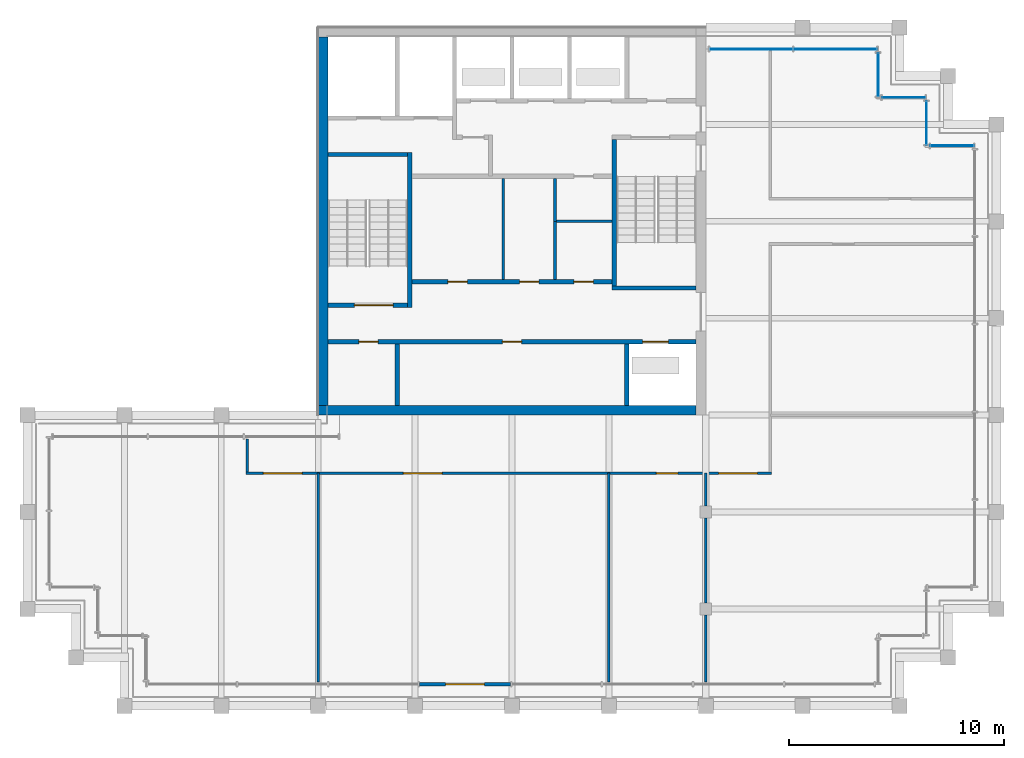
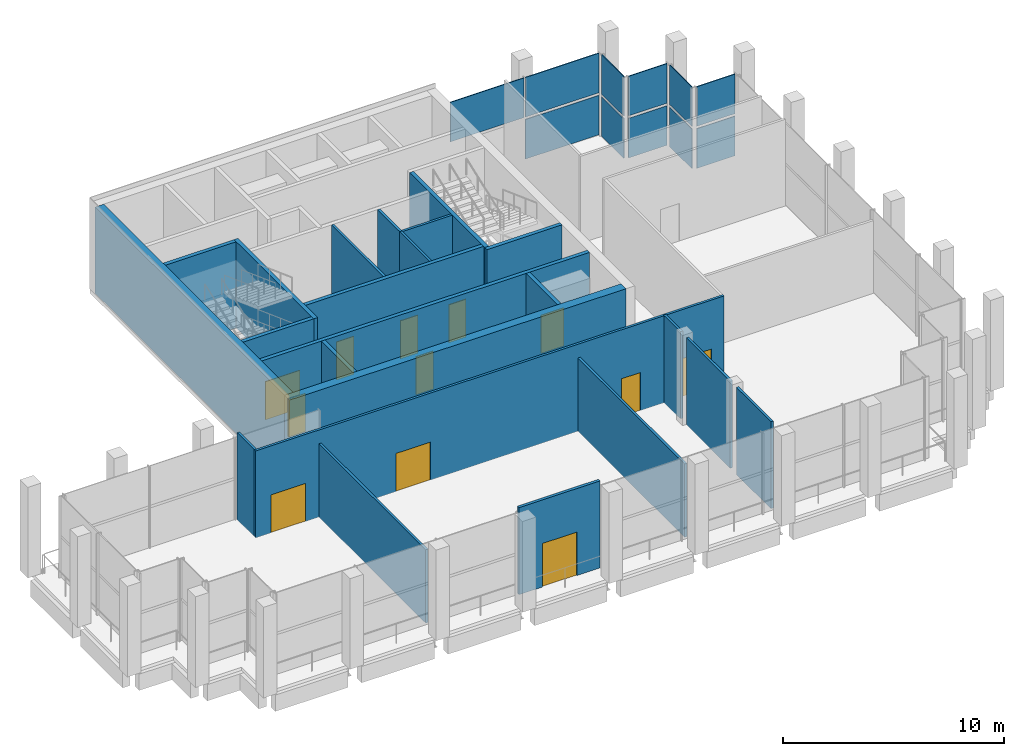
# One storey, part 11 of 14: 23 walls, 12 doors, 11 plates, 12 openings, 5 elements without a shape of their own.
"""IFC4 building model written with IfcOpenShell, lengths in metres."""

from ifc_helpers import new_model, si_unit, direction, frame, frame_2d, origin, origin_2d, place, context, subcontext, project, spatial, rectangle, extrude, material, layer, layer_set, type_object, element, fill, aggregate, save


model = new_model("IFC4")

# Units and contexts
model_context = context("Model", 3, precision=1e-05, world=origin(), true_north=direction((0.0, 1.0)))
body_context = subcontext(model_context, "Body", "Model", "MODEL_VIEW")
ifc_project = project(units=[si_unit("LENGTHUNIT", "METRE"), si_unit("AREAUNIT", "SQUARE_METRE"), si_unit("VOLUMEUNIT", "CUBIC_METRE"), si_unit("PLANEANGLEUNIT", "RADIAN"), si_unit("MASSUNIT", "GRAM", prefix="KILO")], contexts=[model_context])

# Site, building, storey
site_placement = place(None, origin())
site = spatial("IfcSite", under=ifc_project, at=site_placement, CompositionType="ELEMENT")
building_placement = place(site_placement, origin())
building = spatial("IfcBuilding", under=site, at=building_placement, Name="Altepetl Exchange Towers", CompositionType="ELEMENT")
storey_placement = place(building_placement, frame((0.0, 0.0, 269.60009765625)))
storey = spatial("IfcBuildingStorey", under=building, at=storey_placement, Name="L68 Observation gallery", CompositionType="ELEMENT", Elevation=269.60009765625)

# Curtain wall, plates
ifc_material_1 = material(Name="Aluminium 6063-T6 glazing", Category="aluminium")
curtain_wall_type = type_object("IfcCurtainWallType", Name="Executive flush glazing system", PredefinedType="NOTDEFINED", material=ifc_material_1)
curtain_wall_1_placement = place(storey_placement, origin())
curtain_wall_1 = element("IfcCurtainWall", 1, at=curtain_wall_1_placement, inside=storey, type_object=curtain_wall_type, Name="CW4 run", PredefinedType="NOTDEFINED")
ifc_material_2 = material(Name="Glass 10-24-10 laminated", Category="glass")
ifc_layer_1 = layer(ifc_material_2, 0.0439453125)
ifc_layer_set_1 = layer_set([ifc_layer_1], Name="Glass 10-24-10 laminated")
plate_type = type_object("IfcPlateType", Name="Glass panel 44 laminated", PredefinedType="CURTAIN_PANEL", material=ifc_layer_set_1)
plate_1_placement = place(storey_placement, frame((69.9375, 53.0, 0.0), z_axis=(0.0, 0.0, 1.0), x_axis=(-1.0, 0.0, 0.0)))
plate_1 = element("IfcPlate", 2, at=plate_1_placement, type_object=plate_type, Name="GP3 panel", PredefinedType="CURTAIN_PANEL", context=body_context, shape_type="SweptSolid", body=[
    extrude(rectangle(XDim=2.0048828125, YDim=0.0439453125, at=origin_2d()), origin(), (0.0, 0.0, 1.0), 2.179931640625),
])
plate_2_placement = place(storey_placement, frame((69.9375, 53.0, 2.31982421875), z_axis=(0.0, 0.0, 1.0), x_axis=(-1.0, 0.0, 0.0)))
plate_2 = element("IfcPlate", 3, at=plate_2_placement, type_object=plate_type, Name="GP3 panel", PredefinedType="CURTAIN_PANEL", context=body_context, shape_type="SweptSolid", body=[
    extrude(rectangle(XDim=2.0048828125, YDim=0.0439453125, at=origin_2d()), origin(), (0.0, 0.0, 1.0), 2.179931640625),
])
aggregate(curtain_wall_1, [plate_1, plate_2])

curtain_wall_2_placement = place(storey_placement, origin())
curtain_wall_2 = element("IfcCurtainWall", 4, at=curtain_wall_2_placement, inside=storey, type_object=curtain_wall_type, Name="CW4 run", PredefinedType="NOTDEFINED")
plate_3_placement = place(storey_placement, frame((68.75, 54.0625, 0.0), z_axis=(0.0, 0.0, 1.0), x_axis=(0.0, 1.0, 0.0)))
plate_3 = element("IfcPlate", 5, at=plate_3_placement, type_object=plate_type, Name="GP3 panel", PredefinedType="CURTAIN_PANEL", context=body_context, shape_type="SweptSolid", body=[
    extrude(rectangle(XDim=2.0048828125, YDim=0.0439453125, at=origin_2d()), origin(), (0.0, 0.0, 1.0), 2.179931640625),
])
plate_4_placement = place(storey_placement, frame((68.75, 54.0625, 2.31982421875), z_axis=(0.0, 0.0, 1.0), x_axis=(0.0, 1.0, 0.0)))
plate_4 = element("IfcPlate", 6, at=plate_4_placement, type_object=plate_type, Name="GP3 panel", PredefinedType="CURTAIN_PANEL", context=body_context, shape_type="SweptSolid", body=[
    extrude(rectangle(XDim=2.0048828125, YDim=0.0439453125, at=origin_2d()), origin(), (0.0, 0.0, 1.0), 2.179931640625),
])
aggregate(curtain_wall_2, [plate_3, plate_4])

curtain_wall_3_placement = place(storey_placement, origin())
curtain_wall_3 = element("IfcCurtainWall", 7, at=curtain_wall_3_placement, inside=storey, type_object=curtain_wall_type, Name="CW4 run", PredefinedType="NOTDEFINED")
plate_5_placement = place(storey_placement, frame((67.6875, 55.25, 0.0), z_axis=(0.0, 0.0, 1.0), x_axis=(-1.0, 0.0, 0.0)))
plate_5 = element("IfcPlate", 8, at=plate_5_placement, type_object=plate_type, Name="GP3 panel", PredefinedType="CURTAIN_PANEL", context=body_context, shape_type="SweptSolid", body=[
    extrude(rectangle(XDim=2.0048828125, YDim=0.0439453125, at=origin_2d()), origin(), (0.0, 0.0, 1.0), 2.179931640625),
])
plate_6_placement = place(storey_placement, frame((67.6875, 55.25, 2.31982421875), z_axis=(0.0, 0.0, 1.0), x_axis=(-1.0, 0.0, 0.0)))
plate_6 = element("IfcPlate", 9, at=plate_6_placement, type_object=plate_type, Name="GP3 panel", PredefinedType="CURTAIN_PANEL", context=body_context, shape_type="SweptSolid", body=[
    extrude(rectangle(XDim=2.0048828125, YDim=0.0439453125, at=origin_2d()), origin(), (0.0, 0.0, 1.0), 2.179931640625),
])
aggregate(curtain_wall_3, [plate_5, plate_6])

curtain_wall_4_placement = place(storey_placement, origin())
curtain_wall_4 = element("IfcCurtainWall", 10, at=curtain_wall_4_placement, inside=storey, type_object=curtain_wall_type, Name="CW4 run", PredefinedType="NOTDEFINED")
plate_7_placement = place(storey_placement, frame((66.5, 56.3125, 0.0), z_axis=(0.0, 0.0, 1.0), x_axis=(0.0, 1.0, 0.0)))
plate_7 = element("IfcPlate", 11, at=plate_7_placement, type_object=plate_type, Name="GP3 panel", PredefinedType="CURTAIN_PANEL", context=body_context, shape_type="SweptSolid", body=[
    extrude(rectangle(XDim=2.0048828125, YDim=0.0439453125, at=origin_2d()), origin(), (0.0, 0.0, 1.0), 2.179931640625),
])
plate_8_placement = place(storey_placement, frame((66.5, 56.3125, 2.31982421875), z_axis=(0.0, 0.0, 1.0), x_axis=(0.0, 1.0, 0.0)))
plate_8 = element("IfcPlate", 12, at=plate_8_placement, type_object=plate_type, Name="GP3 panel", PredefinedType="CURTAIN_PANEL", context=body_context, shape_type="SweptSolid", body=[
    extrude(rectangle(XDim=2.0048828125, YDim=0.0439453125, at=origin_2d()), origin(), (0.0, 0.0, 1.0), 2.179931640625),
])
aggregate(curtain_wall_4, [plate_7, plate_8])

curtain_wall_5_placement = place(storey_placement, origin())
curtain_wall_5 = element("IfcCurtainWall", 13, at=curtain_wall_5_placement, inside=storey, type_object=curtain_wall_type, Name="CW4 run", PredefinedType="NOTDEFINED")
plate_9_placement = place(storey_placement, frame((64.516357421875, 57.5, 0.0), z_axis=(0.0, 0.0, 1.0), x_axis=(-1.0, 0.0, 0.0)))
plate_9 = element("IfcPlate", 14, at=plate_9_placement, type_object=plate_type, Name="GP3 panel", PredefinedType="CURTAIN_PANEL", context=body_context, shape_type="SweptSolid", body=[
    extrude(rectangle(XDim=3.847412109375, YDim=0.0439453125, at=origin_2d()), origin(), (0.0, 0.0, 1.0), 2.179931640625),
])
plate_10_placement = place(storey_placement, frame((64.516357421875, 57.5, 2.31982421875), z_axis=(0.0, 0.0, 1.0), x_axis=(-1.0, 0.0, 0.0)))
plate_10 = element("IfcPlate", 15, at=plate_10_placement, type_object=plate_type, Name="GP3 panel", PredefinedType="CURTAIN_PANEL", context=body_context, shape_type="SweptSolid", body=[
    extrude(rectangle(XDim=3.847412109375, YDim=0.0439453125, at=origin_2d()), origin(), (0.0, 0.0, 1.0), 2.179931640625),
])
plate_11_placement = place(storey_placement, frame((60.608642578125, 57.5, 2.31982421875), z_axis=(0.0, 0.0, 1.0), x_axis=(-1.0, 0.0, 0.0)))
plate_11 = element("IfcPlate", 16, at=plate_11_placement, type_object=plate_type, Name="GP3 panel", PredefinedType="CURTAIN_PANEL", context=body_context, shape_type="SweptSolid", body=[
    extrude(rectangle(XDim=3.847412109375, YDim=0.0439453125, at=origin_2d()), origin(), (0.0, 0.0, 1.0), 2.179931640625),
])
aggregate(curtain_wall_5, [plate_9, plate_10, plate_11])

# Walls
ifc_material_3 = material(Name="Concrete C70/85", Category="concrete")
ifc_layer_2 = layer(ifc_material_3, 0.449951171875)
ifc_layer_set_2 = layer_set([ifc_layer_2], Name="Concrete C70/85")
wall_type_1 = type_object("IfcWallType", Name="Core wall 450 reinforced concrete", PredefinedType="SHEAR", material=ifc_layer_set_2)
wall_1_placement = place(storey_placement, frame((40.5, 40.72509765625, 0.0)))
element("IfcWall", 17, at=wall_1_placement, inside=storey, type_object=wall_type_1, Name="wall:A:L68:K-coreS", PredefinedType="SHEAR", context=body_context, shape_type="SweptSolid", body=[
    extrude(rectangle(XDim=17.550048828125, YDim=0.449951171875, at=frame_2d((8.77490234375, 0.0))), origin(), (0.0, 0.0, 1.0), 4.75),
])
ifc_layer_3 = layer(ifc_material_3, 0.449951171875)
ifc_layer_set_3 = layer_set([ifc_layer_3], Name="Concrete C70/85")
wall_type_2 = type_object("IfcWallType", Name="Core wall 450 reinforced concrete external", PredefinedType="SHEAR", material=ifc_layer_set_3)
wall_2_placement = place(storey_placement, frame((40.72509765625, 40.949951171875, 0.0), z_axis=(0.0, 0.0, 1.0), x_axis=(0.0, 1.0, 0.0)))
element("IfcWall", 18, at=wall_2_placement, inside=storey, type_object=wall_type_2, Name="wall:A:L68:K-coreW", PredefinedType="SHEAR", context=body_context, shape_type="SweptSolid", body=[
    extrude(rectangle(XDim=17.10009765625, YDim=0.449951171875, at=frame_2d((8.550048828125, 0.0))), origin(), (0.0, 0.0, 1.0), 4.75),
])

# Wall, opening, door
ifc_material_4 = material(Name="Aluminium composite cladding", Category="aluminium")
ifc_layer_4 = layer(ifc_material_4, 0.14990234375)
ifc_layer_set_4 = layer_set([ifc_layer_4], Name="Aluminium composite cladding")
wall_type_3 = type_object("IfcWallType", Name="Infill wall 150 aluminium panel", PredefinedType="SOLIDWALL", material=ifc_layer_set_4)
wall_3_placement = place(storey_placement, frame((45.203125, 28.0, 0.0)))
wall_3 = element("IfcWall", 19, at=wall_3_placement, inside=storey, type_object=wall_type_3, Name="Loggia door bay wall", PredefinedType="SOLIDWALL", context=body_context, shape_type="SweptSolid", body=[
    extrude(rectangle(XDim=4.234375, YDim=0.14990234375, at=frame_2d((2.1171875, 0.0))), origin(), (0.0, 0.0, 1.0), 4.7998046875),
])
opening_1_placement = place(wall_3_placement, frame((1.21728515625, 0.0, 0.0)))
opening_1 = element("IfcOpeningElement", 20, at=opening_1_placement, cuts=wall_3, Name="Opening L68.A90", PredefinedType="OPENING", context=body_context, shape_type="SweptSolid", body=[
    extrude(rectangle(XDim=1.800048828125, YDim=2.39990234375, at=frame_2d((0.89990234375, 1.199951171875))), frame((0.0, 0.0849609375, 0.0), z_axis=(0.0, -1.0, 0.0), x_axis=(1.0, 0.0, 0.0)), (0.0, 0.0, 1.0), 0.169921875),
])
ifc_material_5 = material(Name="Aluminium 6063-T6 and glass", Category="aluminium")
door_type_1 = type_object("IfcDoorType", Name="Glazed door pair 1800x2400", OperationType="DOUBLE_DOOR_DOUBLE_SWING", PredefinedType="NOTDEFINED", material=ifc_material_5)
door_1_placement = place(opening_1_placement, frame((1.800048828125, 0.0, 0.0), x_axis=(-1.0, 0.0, 0.0)))
door_1 = element("IfcDoor", 21, at=door_1_placement, inside=storey, type_object=door_type_1, Name="Loggia door", OperationType="DOUBLE_DOOR_DOUBLE_SWING", OverallHeight=2.39990234375, OverallWidth=1.800048828125, PredefinedType="NOTDEFINED", context=body_context, shape_type="SweptSolid", body=[
    extrude(rectangle(XDim=1.800048828125, YDim=2.39990234375, at=frame_2d((0.89990234375, 1.199951171875))), frame((0.0, 0.02490234375, 0.0), z_axis=(0.0, -1.0, 0.0), x_axis=(1.0, 0.0, 0.0)), (0.0, 0.0, 1.0), 0.050048828125),
])
fill(opening_1, door_1)

# Wall, openings, doors
ifc_material_6 = material(Name="Concrete blockwork", Category="masonry")
ifc_layer_5 = layer(ifc_material_6, 0.199951171875)
ifc_layer_set_5 = layer_set([ifc_layer_5], Name="Concrete blockwork")
wall_type_4 = type_object("IfcWallType", Name="Lobby wall 200 blockwork", PredefinedType="PARTITIONING", material=ifc_layer_set_5)
wall_4_placement = place(storey_placement, frame((44.85009765625, 46.699951171875, 0.0)))
wall_4 = element("IfcWall", 22, at=wall_4_placement, inside=storey, type_object=wall_type_4, Name="wall:A:L68:K-zoneS", PredefinedType="PARTITIONING", context=body_context, shape_type="SweptSolid", body=[
    extrude(rectangle(XDim=9.2998046875, YDim=0.199951171875, at=frame_2d((4.64990234375, 0.0))), origin(), (0.0, 0.0, 1.0), 4.75),
])
opening_2_placement = place(wall_4_placement, frame((1.675048828125, 0.0, 0.0)))
opening_2 = element("IfcOpeningElement", 23, at=opening_2_placement, cuts=wall_4, Name="Opening L68.A69", PredefinedType="OPENING", context=body_context, shape_type="SweptSolid", body=[
    extrude(rectangle(XDim=0.89990234375, YDim=2.10009765625, at=frame_2d((0.449951171875, 1.050048828125))), frame((0.0, 0.10986328125, 0.0), z_axis=(0.0, -1.0, 0.0), x_axis=(1.0, 0.0, 0.0)), (0.0, 0.0, 1.0), 0.219970703125),
])
opening_3_placement = place(wall_4_placement, frame((5.0, 0.0, 0.0)))
opening_3 = element("IfcOpeningElement", 24, at=opening_3_placement, cuts=wall_4, Name="Opening L68.A70", PredefinedType="OPENING", context=body_context, shape_type="SweptSolid", body=[
    extrude(rectangle(XDim=0.89990234375, YDim=2.10009765625, at=frame_2d((0.449951171875, 1.050048828125))), frame((0.0, 0.10986328125, 0.0), z_axis=(0.0, -1.0, 0.0), x_axis=(1.0, 0.0, 0.0)), (0.0, 0.0, 1.0), 0.219970703125),
])
opening_4_placement = place(wall_4_placement, frame((7.52490234375, 0.0, 0.0)))
opening_4 = element("IfcOpeningElement", 25, at=opening_4_placement, cuts=wall_4, Name="Opening L68.A72", PredefinedType="OPENING", context=body_context, shape_type="SweptSolid", body=[
    extrude(rectangle(XDim=0.89990234375, YDim=2.10009765625, at=frame_2d((0.449951171875, 1.050048828125))), frame((0.0, 0.10986328125, 0.0), z_axis=(0.0, -1.0, 0.0), x_axis=(1.0, 0.0, 0.0)), (0.0, 0.0, 1.0), 0.219970703125),
])
ifc_material_7 = material(Name="Steel and timber fire door", Category="steel")
door_type_2 = type_object("IfcDoorType", Name="Fire door 900 x 2100 service room", OperationType="SINGLE_SWING_LEFT", PredefinedType="DOOR", material=ifc_material_7)
door_2_placement = place(opening_2_placement, origin())
door_2 = element("IfcDoor", 26, at=door_2_placement, inside=storey, type_object=door_type_2, Name="door:A:L68:K-dz1", OperationType="SINGLE_SWING_RIGHT", OverallHeight=2.10009765625, OverallWidth=0.89990234375, PredefinedType="DOOR", context=body_context, shape_type="SweptSolid", body=[
    extrude(rectangle(XDim=0.89990234375, YDim=2.10009765625, at=frame_2d((0.449951171875, 1.050048828125))), frame((0.0, 0.02490234375, 0.0), z_axis=(0.0, -1.0, 0.0), x_axis=(1.0, 0.0, 0.0)), (0.0, 0.0, 1.0), 0.050048828125),
])
fill(opening_2, door_2)
door_3_placement = place(opening_3_placement, origin())
door_3 = element("IfcDoor", 27, at=door_3_placement, inside=storey, type_object=door_type_2, Name="door:A:L68:K-dz2", OperationType="SINGLE_SWING_RIGHT", OverallHeight=2.10009765625, OverallWidth=0.89990234375, PredefinedType="DOOR", context=body_context, shape_type="SweptSolid", body=[
    extrude(rectangle(XDim=0.89990234375, YDim=2.10009765625, at=frame_2d((0.449951171875, 1.050048828125))), frame((0.0, 0.02490234375, 0.0), z_axis=(0.0, -1.0, 0.0), x_axis=(1.0, 0.0, 0.0)), (0.0, 0.0, 1.0), 0.050048828125),
])
fill(opening_3, door_3)
door_4_placement = place(opening_4_placement, origin())
door_4 = element("IfcDoor", 28, at=door_4_placement, inside=storey, type_object=door_type_2, Name="door:A:L68:K-dz4", OperationType="SINGLE_SWING_RIGHT", OverallHeight=2.10009765625, OverallWidth=0.89990234375, PredefinedType="DOOR", context=body_context, shape_type="SweptSolid", body=[
    extrude(rectangle(XDim=0.89990234375, YDim=2.10009765625, at=frame_2d((0.449951171875, 1.050048828125))), frame((0.0, 0.02490234375, 0.0), z_axis=(0.0, -1.0, 0.0), x_axis=(1.0, 0.0, 0.0)), (0.0, 0.0, 1.0), 0.050048828125),
])
fill(opening_4, door_4)

# Walls
ifc_material_8 = material(Name="Gypsum board on steel studs", Category="steel")
ifc_layer_6 = layer(ifc_material_8, 0.125)
ifc_layer_set_6 = layer_set([ifc_layer_6], Name="Gypsum board on steel studs")
wall_type_5 = type_object("IfcWallType", Name="Partition 125 gypsum board on steel studs", PredefinedType="PARTITIONING", material=ifc_layer_set_6)
wall_5_placement = place(storey_placement, frame((49.10009765625, 46.800048828125, 0.0), z_axis=(0.0, 0.0, 1.0), x_axis=(0.0, 1.0, 0.0)))
element("IfcWall", 29, at=wall_5_placement, inside=storey, type_object=wall_type_5, Name="wall:A:L68:K-zp1", PredefinedType="PARTITIONING", context=body_context, shape_type="SweptSolid", body=[
    extrude(rectangle(XDim=4.699951171875, YDim=0.125, at=frame_2d((2.35009765625, 0.0))), origin(), (0.0, 0.0, 1.0), 4.75),
])
wall_6_placement = place(storey_placement, frame((51.5, 46.800048828125, 0.0), z_axis=(0.0, 0.0, 1.0), x_axis=(0.0, 1.0, 0.0)))
element("IfcWall", 30, at=wall_6_placement, inside=storey, type_object=wall_type_5, Name="wall:A:L68:K-zp2", PredefinedType="PARTITIONING", context=body_context, shape_type="SweptSolid", body=[
    extrude(rectangle(XDim=2.762451171875, YDim=0.125, at=frame_2d((1.38134765625, 0.0))), origin(), (0.0, 0.0, 1.0), 4.75),
])
wall_7_placement = place(storey_placement, frame((51.5625, 49.5, 0.0)))
element("IfcWall", 31, at=wall_7_placement, inside=storey, type_object=wall_type_5, Name="wall:A:L68:K-zp3", PredefinedType="PARTITIONING", context=body_context, shape_type="SweptSolid", body=[
    extrude(rectangle(XDim=2.58740234375, YDim=0.125, at=frame_2d((1.293701171875, 0.0))), origin(), (0.0, 0.0, 1.0), 4.75),
])
wall_8_placement = place(storey_placement, frame((51.5, 49.5, 0.0), z_axis=(0.0, 0.0, 1.0), x_axis=(0.0, 1.0, 0.0)))
element("IfcWall", 32, at=wall_8_placement, inside=storey, type_object=wall_type_5, Name="wall:A:L68:K-zp4", PredefinedType="PARTITIONING", context=body_context, shape_type="SweptSolid", body=[
    extrude(rectangle(XDim=2.0, YDim=0.125, at=frame_2d((1.0, 0.0))), origin(), (0.0, 0.0, 1.0), 4.75),
])

# Wall, openings, doors
wall_9_placement = place(storey_placement, frame((37.137451171875, 37.800048828125, 0.0)))
wall_9 = element("IfcWall", 33, at=wall_9_placement, inside=storey, type_object=wall_type_5, Name="wall:A:L68:P01", PredefinedType="PARTITIONING", context=body_context, shape_type="SweptSolid", body=[
    extrude(rectangle(XDim=24.425048828125, YDim=0.125, at=frame_2d((12.21240234375, 0.0))), origin(), (0.0, 0.0, 1.0), 4.7998046875),
])
opening_5_placement = place(wall_9_placement, frame((0.8125, 0.0, 0.0)))
opening_5 = element("IfcOpeningElement", 34, at=opening_5_placement, cuts=wall_9, Name="Opening L68.A01", PredefinedType="OPENING", context=body_context, shape_type="SweptSolid", body=[
    extrude(rectangle(XDim=1.800048828125, YDim=2.10009765625, at=frame_2d((0.89990234375, 1.050048828125))), frame((0.0, 0.072509765625, 0.0), z_axis=(0.0, -1.0, 0.0), x_axis=(1.0, 0.0, 0.0)), (0.0, 0.0, 1.0), 0.14501953125),
])
opening_6_placement = place(wall_9_placement, frame((7.322509765625, 0.0, 0.0)))
opening_6 = element("IfcOpeningElement", 35, at=opening_6_placement, cuts=wall_9, Name="Opening L68.A02", PredefinedType="OPENING", context=body_context, shape_type="SweptSolid", body=[
    extrude(rectangle(XDim=1.800048828125, YDim=2.10009765625, at=frame_2d((0.89990234375, 1.050048828125))), frame((0.0, 0.072509765625, 0.0), z_axis=(0.0, -1.0, 0.0), x_axis=(1.0, 0.0, 0.0)), (0.0, 0.0, 1.0), 0.14501953125),
])
opening_7_placement = place(wall_9_placement, frame((19.0673828125, 0.0, 0.0)))
opening_7 = element("IfcOpeningElement", 36, at=opening_7_placement, cuts=wall_9, Name="Opening L68.A03", PredefinedType="OPENING", context=body_context, shape_type="SweptSolid", body=[
    extrude(rectangle(XDim=1.0, YDim=2.10009765625, at=frame_2d((0.5, 1.050048828125))), frame((0.0, 0.072509765625, 0.0), z_axis=(0.0, -1.0, 0.0), x_axis=(1.0, 0.0, 0.0)), (0.0, 0.0, 1.0), 0.14501953125),
])
opening_8_placement = place(wall_9_placement, frame((21.96240234375, 0.0, 0.0)))
opening_8 = element("IfcOpeningElement", 37, at=opening_8_placement, cuts=wall_9, Name="Opening L68.A04", PredefinedType="OPENING", context=body_context, shape_type="SweptSolid", body=[
    extrude(rectangle(XDim=1.800048828125, YDim=2.10009765625, at=frame_2d((0.89990234375, 1.050048828125))), frame((0.0, 0.072509765625, 0.0), z_axis=(0.0, -1.0, 0.0), x_axis=(1.0, 0.0, 0.0)), (0.0, 0.0, 1.0), 0.14501953125),
])
door_type_3 = type_object("IfcDoorType", Name="Fire door 1000 x 2100 single leaf", OperationType="SINGLE_SWING_LEFT", PredefinedType="DOOR", material=ifc_material_7)
door_5_placement = place(opening_7_placement, frame((1.0, 0.0, 0.0), x_axis=(-1.0, 0.0, 0.0)))
door_5 = element("IfcDoor", 38, at=door_5_placement, inside=storey, type_object=door_type_3, Name="door:A:L68:03", OperationType="SINGLE_SWING_LEFT", OverallHeight=2.10009765625, OverallWidth=1.0, PredefinedType="DOOR", context=body_context, shape_type="SweptSolid", body=[
    extrude(rectangle(XDim=1.0, YDim=2.10009765625, at=frame_2d((0.5, 1.050048828125))), frame((0.0, 0.02490234375, 0.0), z_axis=(0.0, -1.0, 0.0), x_axis=(1.0, 0.0, 0.0)), (0.0, 0.0, 1.0), 0.050048828125),
])
fill(opening_7, door_5)
door_type_4 = type_object("IfcDoorType", Name="Fire door 1800 x 2100 double leaf", OperationType="DOUBLE_DOOR_SINGLE_SWING", PredefinedType="DOOR", material=ifc_material_7)
door_6_placement = place(opening_5_placement, frame((1.800048828125, 0.0, 0.0), x_axis=(-1.0, 0.0, 0.0)))
door_6 = element("IfcDoor", 39, at=door_6_placement, inside=storey, type_object=door_type_4, Name="door:A:L68:01", OperationType="DOUBLE_DOOR_SINGLE_SWING", OverallHeight=2.10009765625, OverallWidth=1.800048828125, PredefinedType="DOOR", context=body_context, shape_type="SweptSolid", body=[
    extrude(rectangle(XDim=1.800048828125, YDim=2.10009765625, at=frame_2d((0.89990234375, 1.050048828125))), frame((0.0, 0.02490234375, 0.0), z_axis=(0.0, -1.0, 0.0), x_axis=(1.0, 0.0, 0.0)), (0.0, 0.0, 1.0), 0.050048828125),
])
fill(opening_5, door_6)
door_7_placement = place(opening_6_placement, frame((1.800048828125, 0.0, 0.0), x_axis=(-1.0, 0.0, 0.0)))
door_7 = element("IfcDoor", 40, at=door_7_placement, inside=storey, type_object=door_type_4, Name="door:A:L68:02", OperationType="DOUBLE_DOOR_SINGLE_SWING", OverallHeight=2.10009765625, OverallWidth=1.800048828125, PredefinedType="DOOR", context=body_context, shape_type="SweptSolid", body=[
    extrude(rectangle(XDim=1.800048828125, YDim=2.10009765625, at=frame_2d((0.89990234375, 1.050048828125))), frame((0.0, 0.02490234375, 0.0), z_axis=(0.0, -1.0, 0.0), x_axis=(1.0, 0.0, 0.0)), (0.0, 0.0, 1.0), 0.050048828125),
])
fill(opening_6, door_7)
door_8_placement = place(opening_8_placement, frame((1.800048828125, 0.0, 0.0), x_axis=(-1.0, 0.0, 0.0)))
door_8 = element("IfcDoor", 41, at=door_8_placement, inside=storey, type_object=door_type_4, Name="door:A:L68:04", OperationType="DOUBLE_DOOR_SINGLE_SWING", OverallHeight=2.10009765625, OverallWidth=1.800048828125, PredefinedType="DOOR", context=body_context, shape_type="SweptSolid", body=[
    extrude(rectangle(XDim=1.800048828125, YDim=2.10009765625, at=frame_2d((0.89990234375, 1.050048828125))), frame((0.0, 0.02490234375, 0.0), z_axis=(0.0, -1.0, 0.0), x_axis=(1.0, 0.0, 0.0)), (0.0, 0.0, 1.0), 0.050048828125),
])
fill(opening_8, door_8)

# Walls
wall_10_placement = place(storey_placement, frame((37.199951171875, 37.862548828125, 0.0), z_axis=(0.0, 0.0, 1.0), x_axis=(0.0, 1.0, 0.0)))
element("IfcWall", 42, at=wall_10_placement, inside=storey, type_object=wall_type_5, Name="wall:A:L68:P05", PredefinedType="PARTITIONING", context=body_context, shape_type="SweptSolid", body=[
    extrude(rectangle(XDim=1.537353515625, YDim=0.125, at=frame_2d((0.7685546875, 0.0))), origin(), (0.0, 0.0, 1.0), 4.7998046875),
])
for number, where, z_axis, x_axis, name in (
    (43, (40.5, 28.10009765625, 0.0), (0.0, 0.0, 1.0), (0.0, 1.0, 0.0), "wall:A:L68:P06"),
    (44, (54.0, 28.10009765625, 0.0), (0.0, 0.0, 1.0), (0.0, 1.0, 0.0), "wall:A:L68:P07"),
):
    element("IfcWall", number, at=place(storey_placement, frame(where, z_axis=z_axis, x_axis=x_axis)), inside=storey, type_object=wall_type_5, Name=name, PredefinedType="PARTITIONING", context=body_context, shape_type="SweptSolid", body=[
        extrude(rectangle(XDim=9.699951171875, YDim=0.125, at=frame_2d((4.85009765625, 0.0))), origin(), (0.0, 0.0, 1.0), 4.0419921875),
    ])
wall_11_placement = place(storey_placement, frame((58.5, 28.10009765625, 0.0), z_axis=(0.0, 0.0, 1.0), x_axis=(0.0, 1.0, 0.0)))
element("IfcWall", 45, at=wall_11_placement, inside=storey, type_object=wall_type_5, Name="wall:A:L68:P08", PredefinedType="PARTITIONING", context=body_context, shape_type="SweptSolid", body=[
    extrude(rectangle(XDim=3.125, YDim=0.125, at=frame_2d((1.5625, 0.0))), origin(), (0.0, 0.0, 1.0), 4.7998046875),
])
wall_12_placement = place(storey_placement, frame((58.5, 31.77490234375, 0.0), z_axis=(0.0, 0.0, 1.0), x_axis=(0.0, 1.0, 0.0)))
element("IfcWall", 46, at=wall_12_placement, inside=storey, type_object=wall_type_5, Name="wall:A:L68:P09", PredefinedType="PARTITIONING", context=body_context, shape_type="SweptSolid", body=[
    extrude(rectangle(XDim=3.9501953125, YDim=0.125, at=frame_2d((1.97509765625, 0.0))), origin(), (0.0, 0.0, 1.0), 4.7998046875),
])
wall_13_placement = place(storey_placement, frame((58.5, 36.27490234375, 0.0), z_axis=(0.0, 0.0, 1.0), x_axis=(0.0, 1.0, 0.0)))
element("IfcWall", 47, at=wall_13_placement, inside=storey, type_object=wall_type_5, Name="wall:A:L68:P10", PredefinedType="PARTITIONING", context=body_context, shape_type="SweptSolid", body=[
    extrude(rectangle(XDim=1.525146484375, YDim=0.125, at=frame_2d((0.7626953125, 0.0))), origin(), (0.0, 0.0, 1.0), 4.7998046875),
])
ifc_material_9 = material(Name="Concrete C40/50", Category="concrete")
ifc_layer_7 = layer(ifc_material_9, 0.199951171875)
ifc_layer_set_7 = layer_set([ifc_layer_7], Name="Concrete C40/50")
wall_type_6 = type_object("IfcWallType", Name="Shaft wall 200 reinforced concrete", PredefinedType="SHEAR", material=ifc_layer_set_7)
wall_14_placement = place(storey_placement, frame((54.833251953125, 40.949951171875, 0.0), z_axis=(0.0, 0.0, 1.0), x_axis=(0.0, 1.0, 0.0)))
element("IfcWall", 48, at=wall_14_placement, inside=storey, type_object=wall_type_6, Name="wall:A:L68:K-divS5", PredefinedType="SHEAR", context=body_context, shape_type="SweptSolid", body=[
    extrude(rectangle(XDim=2.85009765625, YDim=0.199951171875, at=frame_2d((1.425048828125, 0.0))), origin(), (0.0, 0.0, 1.0), 4.75),
])

# Wall, openings, doors
wall_15_placement = place(storey_placement, frame((40.949951171875, 43.89990234375, 0.0)))
wall_15 = element("IfcWall", 49, at=wall_15_placement, inside=storey, type_object=wall_type_6, Name="wall:A:L68:K-frontS", PredefinedType="SHEAR", context=body_context, shape_type="SweptSolid", body=[
    extrude(rectangle(XDim=17.10009765625, YDim=0.199951171875, at=frame_2d((8.550048828125, 0.0))), origin(), (0.0, 0.0, 1.0), 4.75),
])
opening_9_placement = place(wall_15_placement, frame((1.433349609375, 0.0, 0.0)))
opening_9 = element("IfcOpeningElement", 50, at=opening_9_placement, cuts=wall_15, Name="Opening L68.A67", PredefinedType="OPENING", context=body_context, shape_type="SweptSolid", body=[
    extrude(rectangle(XDim=0.89990234375, YDim=2.10009765625, at=frame_2d((0.449951171875, 1.050048828125))), frame((0.0, 0.10986328125, 0.0), z_axis=(0.0, -1.0, 0.0), x_axis=(1.0, 0.0, 0.0)), (0.0, 0.0, 1.0), 0.219970703125),
])
opening_10_placement = place(wall_15_placement, frame((8.10009765625, 0.0, 0.0)))
opening_10 = element("IfcOpeningElement", 51, at=opening_10_placement, cuts=wall_15, Name="Opening L68.A68", PredefinedType="OPENING", context=body_context, shape_type="SweptSolid", body=[
    extrude(rectangle(XDim=0.89990234375, YDim=2.10009765625, at=frame_2d((0.449951171875, 1.050048828125))), frame((0.0, 0.10986328125, 0.0), z_axis=(0.0, -1.0, 0.0), x_axis=(1.0, 0.0, 0.0)), (0.0, 0.0, 1.0), 0.219970703125),
])
opening_11_placement = place(wall_15_placement, frame((14.61669921875, 0.0, 0.0)))
opening_11 = element("IfcOpeningElement", 52, at=opening_11_placement, cuts=wall_15, Name="Opening L68.A75", PredefinedType="OPENING", context=body_context, shape_type="SweptSolid", body=[
    extrude(rectangle(XDim=1.199951171875, YDim=2.10009765625, at=frame_2d((0.60009765625, 1.050048828125))), frame((0.0, 0.10986328125, 0.0), z_axis=(0.0, -1.0, 0.0), x_axis=(1.0, 0.0, 0.0)), (0.0, 0.0, 1.0), 0.219970703125),
])
door_9_placement = place(opening_9_placement, frame((0.89990234375, 0.0, 0.0), x_axis=(-1.0, 0.0, 0.0)))
door_9 = element("IfcDoor", 53, at=door_9_placement, inside=storey, type_object=door_type_2, Name="door:A:L68:K-dslotS0", OperationType="SINGLE_SWING_LEFT", OverallHeight=2.10009765625, OverallWidth=0.89990234375, PredefinedType="DOOR", context=body_context, shape_type="SweptSolid", body=[
    extrude(rectangle(XDim=0.89990234375, YDim=2.10009765625, at=frame_2d((0.449951171875, 1.050048828125))), frame((0.0, 0.02490234375, 0.0), z_axis=(0.0, -1.0, 0.0), x_axis=(1.0, 0.0, 0.0)), (0.0, 0.0, 1.0), 0.050048828125),
])
fill(opening_9, door_9)
door_10_placement = place(opening_10_placement, frame((0.89990234375, 0.0, 0.0), x_axis=(-1.0, 0.0, 0.0)))
door_10 = element("IfcDoor", 54, at=door_10_placement, inside=storey, type_object=door_type_2, Name="door:A:L68:K-dslotS1", OperationType="SINGLE_SWING_LEFT", OverallHeight=2.10009765625, OverallWidth=0.89990234375, PredefinedType="DOOR", context=body_context, shape_type="SweptSolid", body=[
    extrude(rectangle(XDim=0.89990234375, YDim=2.10009765625, at=frame_2d((0.449951171875, 1.050048828125))), frame((0.0, 0.02490234375, 0.0), z_axis=(0.0, -1.0, 0.0), x_axis=(1.0, 0.0, 0.0)), (0.0, 0.0, 1.0), 0.050048828125),
])
fill(opening_10, door_10)
ifc_material_10 = material(Name="Stainless steel", Category="steel")
door_type_5 = type_object("IfcDoorType", Name="Lift landing door 1200 x 2100", OperationType="SLIDING_TO_LEFT", PredefinedType="DOOR", material=ifc_material_10)
door_11_placement = place(opening_11_placement, origin())
door_11 = element("IfcDoor", 55, at=door_11_placement, inside=storey, type_object=door_type_5, Name="Landing door OBS1", OperationType="SLIDING_TO_LEFT", OverallHeight=2.10009765625, OverallWidth=1.199951171875, PredefinedType="DOOR", context=body_context, shape_type="SweptSolid", body=[
    extrude(rectangle(XDim=1.199951171875, YDim=2.10009765625, at=frame_2d((0.60009765625, 1.050048828125))), frame((0.0, 0.02490234375, 0.0), z_axis=(0.0, -1.0, 0.0), x_axis=(1.0, 0.0, 0.0)), (0.0, 0.0, 1.0), 0.050048828125),
])
fill(opening_11, door_11)

# Walls
ifc_layer_8 = layer(ifc_material_3, 0.199951171875)
ifc_layer_set_8 = layer_set([ifc_layer_8], Name="Concrete C70/85")
wall_type_7 = type_object("IfcWallType", Name="Shear wall 200 reinforced concrete", PredefinedType="SHEAR", material=ifc_layer_set_8)
wall_16_placement = place(storey_placement, frame((44.166748046875, 40.949951171875, 0.0), z_axis=(0.0, 0.0, 1.0), x_axis=(0.0, 1.0, 0.0)))
element("IfcWall", 56, at=wall_16_placement, inside=storey, type_object=wall_type_7, Name="wall:A:L68:K-divS1", PredefinedType="SHEAR", context=body_context, shape_type="SweptSolid", body=[
    extrude(rectangle(XDim=2.85009765625, YDim=0.199951171875, at=frame_2d((1.425048828125, 0.0))), origin(), (0.0, 0.0, 1.0), 4.75),
])
ifc_layer_9 = layer(ifc_material_9, 0.199951171875)
ifc_layer_set_9 = layer_set([ifc_layer_9], Name="Concrete C40/50")
wall_type_8 = type_object("IfcWallType", Name="Stair wall 200 reinforced concrete", PredefinedType="SHEAR", material=ifc_layer_set_9)
wall_17_placement = place(storey_placement, frame((44.75, 45.5, 0.0), z_axis=(0.0, 0.0, 1.0), x_axis=(0.0, 1.0, 0.0)))
element("IfcWall", 57, at=wall_17_placement, inside=storey, type_object=wall_type_8, Name="wall:A:L68:K-stS1E", PredefinedType="SHEAR", context=body_context, shape_type="SweptSolid", body=[
    extrude(rectangle(XDim=7.199951171875, YDim=0.199951171875, at=frame_2d((3.60009765625, 0.0))), origin(), (0.0, 0.0, 1.0), 4.75),
])
wall_18_placement = place(storey_placement, frame((40.949951171875, 52.60009765625, 0.0)))
element("IfcWall", 58, at=wall_18_placement, inside=storey, type_object=wall_type_8, Name="wall:A:L68:K-stS1N", PredefinedType="SHEAR", context=body_context, shape_type="SweptSolid", body=[
    extrude(rectangle(XDim=3.699951171875, YDim=0.199951171875, at=frame_2d((1.85009765625, 0.0))), origin(), (0.0, 0.0, 1.0), 4.75),
])

# Wall, opening, door
wall_19_placement = place(storey_placement, frame((40.949951171875, 45.60009765625, 0.0)))
wall_19 = element("IfcWall", 59, at=wall_19_placement, inside=storey, type_object=wall_type_8, Name="wall:A:L68:K-stS1S", PredefinedType="SHEAR", context=body_context, shape_type="SweptSolid", body=[
    extrude(rectangle(XDim=3.699951171875, YDim=0.199951171875, at=frame_2d((1.85009765625, 0.0))), origin(), (0.0, 0.0, 1.0), 4.75),
])
opening_12_placement = place(wall_19_placement, frame((1.22509765625, 0.0, 0.0)))
opening_12 = element("IfcOpeningElement", 60, at=opening_12_placement, cuts=wall_19, Name="Opening L68.A62", PredefinedType="OPENING", context=body_context, shape_type="SweptSolid", body=[
    extrude(rectangle(XDim=1.800048828125, YDim=2.10009765625, at=frame_2d((0.89990234375, 1.050048828125))), frame((0.0, 0.10986328125, 0.0), z_axis=(0.0, -1.0, 0.0), x_axis=(1.0, 0.0, 0.0)), (0.0, 0.0, 1.0), 0.219970703125),
])
door_type_6 = type_object("IfcDoorType", Name="Fire door 1800 x 2100 stair", OperationType="DOUBLE_DOOR_SINGLE_SWING", PredefinedType="DOOR", material=ifc_material_7)
door_12_placement = place(opening_12_placement, origin())
door_12 = element("IfcDoor", 61, at=door_12_placement, inside=storey, type_object=door_type_6, Name="door:A:L68:K-dS1in", OperationType="DOUBLE_DOOR_SINGLE_SWING", OverallHeight=2.10009765625, OverallWidth=1.800048828125, PredefinedType="DOOR", context=body_context, shape_type="SweptSolid", body=[
    extrude(rectangle(XDim=1.800048828125, YDim=2.10009765625, at=frame_2d((0.89990234375, 1.050048828125))), frame((0.0, 0.02490234375, 0.0), z_axis=(0.0, -1.0, 0.0), x_axis=(1.0, 0.0, 0.0)), (0.0, 0.0, 1.0), 0.050048828125),
])
fill(opening_12, door_12)

# Walls
wall_20_placement = place(storey_placement, frame((54.14990234375, 46.39990234375, 0.0)))
element("IfcWall", 62, at=wall_20_placement, inside=storey, type_object=wall_type_8, Name="wall:A:L68:K-stS2S", PredefinedType="SHEAR", context=body_context, shape_type="SweptSolid", body=[
    extrude(rectangle(XDim=3.900146484375, YDim=0.199951171875, at=frame_2d((1.9501953125, 0.0))), origin(), (0.0, 0.0, 1.0), 4.75),
])
wall_21_placement = place(storey_placement, frame((54.25, 46.5, 0.0), z_axis=(0.0, 0.0, 1.0), x_axis=(0.0, 1.0, 0.0)))
element("IfcWall", 63, at=wall_21_placement, inside=storey, type_object=wall_type_8, Name="wall:A:L68:K-stS2W", PredefinedType="SHEAR", context=body_context, shape_type="SweptSolid", body=[
    extrude(rectangle(XDim=6.800048828125, YDim=0.199951171875, at=frame_2d((3.39990234375, 0.0))), origin(), (0.0, 0.0, 1.0), 4.75),
])

save(model, "model.ifc")
